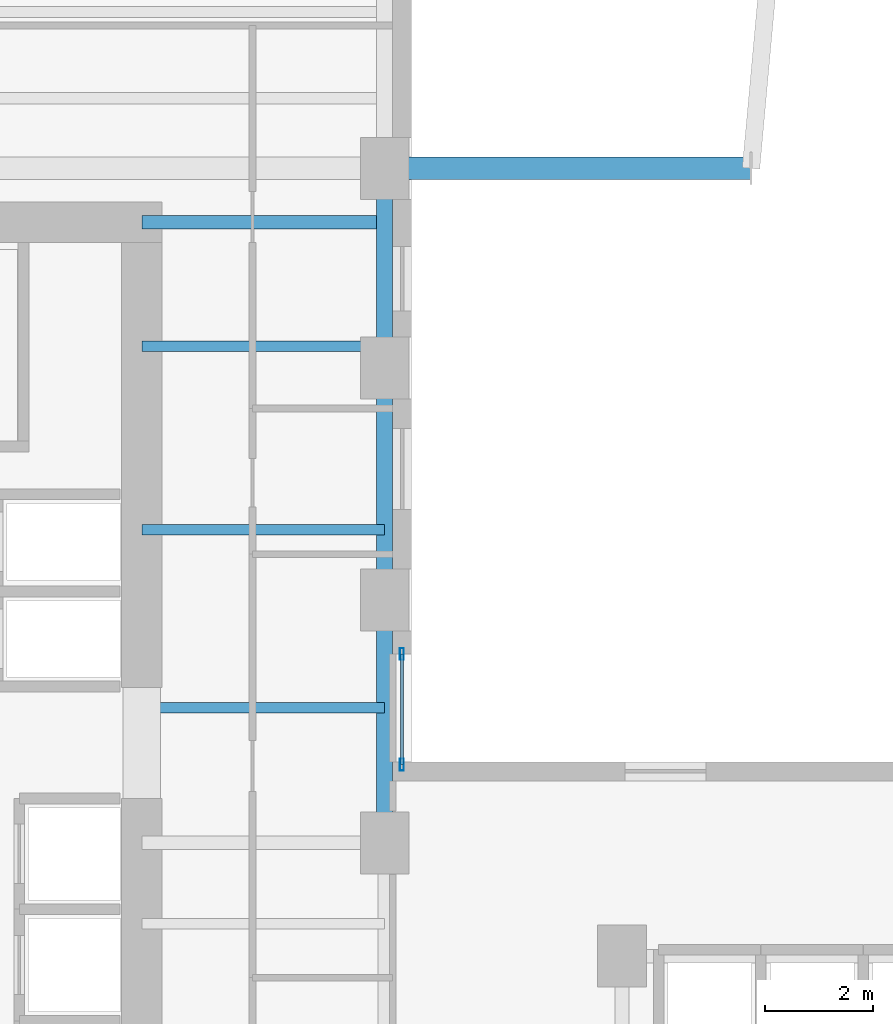
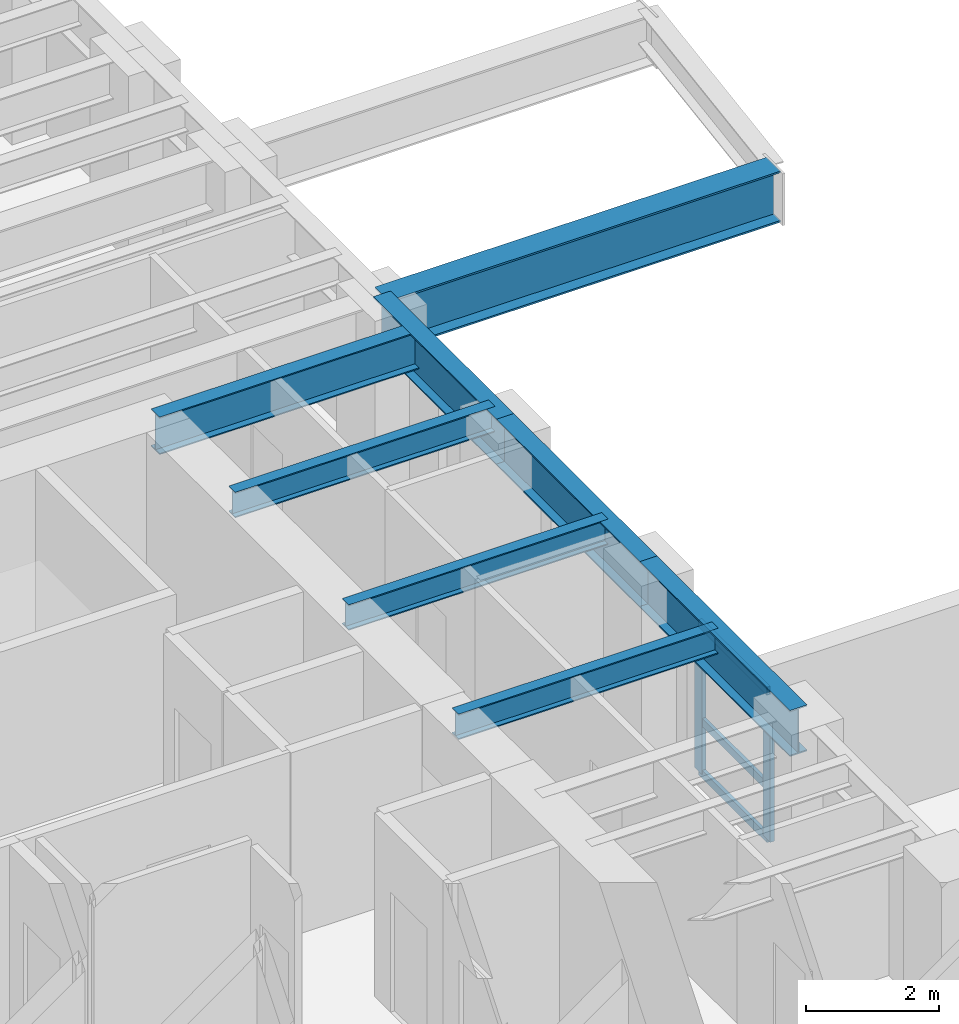
# One storey, part 2 of 13: 8 beams, 5 members, 1 element without a shape of its own.
"""IFC4 building model written with IfcOpenShell, lengths in metres."""

from ifc_helpers import new_model, si_unit, direction, frame, origin, origin_2d, place, context, subcontext, project, spatial, hollow_rectangle, i_section, extrude, source, transform, mapped, material, layer, layer_set, material_profile, profile_set, type_object, element, aggregate, save


model = new_model("IFC4")

# Units and contexts
model_context = context("Model", 3, precision=1e-05, world=origin(), true_north=direction((0.0, 1.0)))
body_context = subcontext(model_context, "Body", "Model", "MODEL_VIEW")
ifc_project = project(units=[si_unit("LENGTHUNIT", "METRE"), si_unit("AREAUNIT", "SQUARE_METRE"), si_unit("VOLUMEUNIT", "CUBIC_METRE"), si_unit("PLANEANGLEUNIT", "RADIAN"), si_unit("MASSUNIT", "GRAM", prefix="KILO")], contexts=[model_context])

# Site, building, storey
site_placement = place(None, origin())
site = spatial("IfcSite", under=ifc_project, at=site_placement, CompositionType="ELEMENT")
building_placement = place(site_placement, origin())
building = spatial("IfcBuilding", under=site, at=building_placement, Name="Kharzan Plaza Tower", CompositionType="ELEMENT")
storey_placement = place(building_placement, frame((0.0, 0.0, 109.800048828125)))
storey = spatial("IfcBuildingStorey", under=building, at=storey_placement, Name="L29", CompositionType="ELEMENT", Elevation=109.800048828125)

# Beams
ifc_material_1 = material(Name="Steel S355", Category="steel")
ifc_material_profile_1 = material_profile(ifc_material_1, i_section(OverallWidth=0.194091796875, OverallDepth=0.468994140625, WebThickness=0.011474609375, FlangeThickness=0.0205078125, at=origin_2d()), Name="W460x106")
ifc_profile_set_1 = profile_set([ifc_material_profile_1], Name="Steel S355")
beam_type_1 = type_object("IfcBeamType", Name="BM-JST460", PredefinedType="JOIST", material=ifc_profile_set_1)
shared_shape_1 = source(origin(), body_context, "Body", "SweptSolid", [
    extrude(i_section(OverallWidth=0.194091796875, OverallDepth=0.468994140625, WebThickness=0.011474609375, FlangeThickness=0.0205078125, at=origin_2d()), origin(), (0.0, 0.0, 1.0), 4.5),
])
for number, where, z_axis, x_axis, name in (
    (1, (14.5, 20.5, 3.1455078125), (1.0, 0.0, 0.0), (0.0, 1.0, 0.0), "L29 Wing A East Infill Joist 4"),
    (2, (14.5, 23.800048828125, 3.1455078125), (1.0, 0.0, 0.0), (0.0, 1.0, 0.0), "L29 Wing A East Infill Joist 5"),
    (3, (14.5, 27.199951171875, 3.1455078125), (1.0, 0.0, 0.0), (0.0, 1.0, 0.0), "L29 Wing A East Infill Joist 6"),
):
    element("IfcBeam", number, at=place(storey_placement, frame(where, z_axis=z_axis, x_axis=x_axis)), inside=storey, type_object=beam_type_1, Name=name, PredefinedType="JOIST", context=body_context, shape_type="MappedRepresentation", body=[
        mapped(shared_shape_1, transform((0.0, 0.0, 0.0), x_axis=(1.0, 0.0, 0.0), y_axis=(0.0, 1.0, 0.0), z_axis=(0.0, 0.0, 1.0))),
    ])
ifc_material_profile_2 = material_profile(ifc_material_1, i_section(OverallWidth=0.41796875, OverallDepth=0.93701171875, WebThickness=0.019287109375, FlangeThickness=0.031982421875, at=origin_2d()), Name="W920x342")
ifc_profile_set_2 = profile_set([ifc_material_profile_2], Name="Steel S355")
beam_type_2 = type_object("IfcBeamType", Name="BM-ZTG920", PredefinedType="BEAM", material=ifc_profile_set_2)
shared_shape_2 = source(origin(), body_context, "Body", "SweptSolid", [
    extrude(i_section(OverallWidth=0.41796875, OverallDepth=0.93701171875, WebThickness=0.019287109375, FlangeThickness=0.031982421875, at=origin_2d()), origin(), (0.0, 0.0, 1.0), 6.7900390625),
])
beam_1_placement = place(storey_placement, frame((19.0, 30.5, 2.911376953125), z_axis=(1.0, 0.0, 0.0), x_axis=(0.0, 1.0, 0.0)))
element("IfcBeam", 4, at=beam_1_placement, inside=storey, type_object=beam_type_2, Name="L29 Sky-Terrace Cantilever Girder ZTG1 (L30 G1)", PredefinedType="BEAM", context=body_context, shape_type="MappedRepresentation", body=[
    mapped(shared_shape_2, transform((0.0, 0.0, 0.0), x_axis=(1.0, 0.0, 0.0), y_axis=(0.0, 1.0, 0.0), z_axis=(0.0, 0.0, 1.0))),
])

# Curtain wall, members
ifc_material_2 = material(Name="Unitised Bronze-Anodized Aluminium and Low-E Glass", Category="aluminium")
ifc_layer = layer(ifc_material_2, 0.199951171875)
ifc_layer_set = layer_set([ifc_layer], Name="Unitised Bronze-Anodized Aluminium and Low-E Glass")
curtain_wall_type = type_object("IfcCurtainWallType", Name="CW-SLOT-3", PredefinedType="NOTDEFINED", material=ifc_layer_set)
curtain_wall_placement = place(storey_placement, origin())
curtain_wall = element("IfcCurtainWall", 5, at=curtain_wall_placement, inside=storey, type_object=curtain_wall_type, Name="L29 West Slot Recessed Spine Curtain Wall", PredefinedType="NOTDEFINED")
ifc_material_3 = material(Name="Anodized Bronze Aluminium", Category="aluminium")
ifc_material_profile_3 = material_profile(ifc_material_3, hollow_rectangle(XDim=0.074951171875, YDim=0.219970703125, WallThickness=0.00390625, at=origin_2d()), Name="ALU-M220x75x4")
ifc_profile_set_3 = profile_set([ifc_material_profile_3], Name="Anodized Bronze Aluminium")
member_type_1 = type_object("IfcMemberType", Name="MEM-CW-MUL200", PredefinedType="MULLION", material=ifc_profile_set_3)
shared_shape_3 = source(origin(), body_context, "Body", "SweptSolid", [
    extrude(hollow_rectangle(XDim=0.074951171875, YDim=0.219970703125, WallThickness=0.00390625, at=origin_2d()), origin(), (0.0, 0.0, 1.0), 2.699951171875),
])
member_1_placement = place(storey_placement, frame((19.320068359375, 19.449951171875, 0.0), z_axis=(0.0, 0.0, 1.0), x_axis=(1.0, 0.0, 0.0)))
member_1 = element("IfcMember", 6, at=member_1_placement, type_object=member_type_1, Name="L29 Curtain-Wall Mullion 00", PredefinedType="MULLION", context=body_context, shape_type="MappedRepresentation", body=[
    mapped(shared_shape_3, transform((0.0, 0.0, 0.0), x_axis=(1.0, 0.0, 0.0), y_axis=(0.0, 1.0, 0.0), z_axis=(0.0, 0.0, 1.0))),
])
member_2_placement = place(storey_placement, frame((19.320068359375, 21.5, 0.0), z_axis=(0.0, 0.0, 1.0), x_axis=(1.0, 0.0, 0.0)))
member_2 = element("IfcMember", 7, at=member_2_placement, type_object=member_type_1, Name="L29 Curtain-Wall Mullion 01", PredefinedType="MULLION", context=body_context, shape_type="MappedRepresentation", body=[
    mapped(shared_shape_3, transform((0.0, 0.0, 0.0), x_axis=(1.0, 0.0, 0.0), y_axis=(0.0, 1.0, 0.0), z_axis=(0.0, 0.0, 1.0))),
])
ifc_material_profile_4 = material_profile(ifc_material_3, hollow_rectangle(XDim=0.06005859375, YDim=0.14990234375, WallThickness=0.00341796875, at=origin_2d()), Name="ALU-T150x60x3.5")
ifc_profile_set_4 = profile_set([ifc_material_profile_4], Name="Anodized Bronze Aluminium")
member_type_2 = type_object("IfcMemberType", Name="MEM-CW-TRN150", PredefinedType="USERDEFINED", material=ifc_profile_set_4)
shared_shape_4 = source(origin(), body_context, "Body", "SweptSolid", [
    extrude(hollow_rectangle(XDim=0.06005859375, YDim=0.14990234375, WallThickness=0.00341796875, at=origin_2d()), origin(), (0.0, 0.0, 1.0), 2.050048828125),
])
member_3_placement = place(storey_placement, frame((19.320068359375, 19.449951171875, 0.0), z_axis=(0.0, 1.0, 0.0), x_axis=(-1.0, 0.0, 0.0)))
member_3 = element("IfcMember", 8, at=member_3_placement, type_object=member_type_2, Name="L29 Curtain-Wall Transom 1", ObjectType="TRANSOM", PredefinedType="USERDEFINED", context=body_context, shape_type="MappedRepresentation", body=[
    mapped(shared_shape_4, transform((0.0, 0.0, 0.0), x_axis=(1.0, 0.0, 0.0), y_axis=(0.0, 1.0, 0.0), z_axis=(0.0, 0.0, 1.0))),
])
member_4_placement = place(storey_placement, frame((19.320068359375, 19.449951171875, 0.949951171875), z_axis=(0.0, 1.0, 0.0), x_axis=(-1.0, 0.0, 0.0)))
member_4 = element("IfcMember", 9, at=member_4_placement, type_object=member_type_2, Name="L29 Curtain-Wall Transom 2", ObjectType="TRANSOM", PredefinedType="USERDEFINED", context=body_context, shape_type="MappedRepresentation", body=[
    mapped(shared_shape_4, transform((0.0, 0.0, 0.0), x_axis=(1.0, 0.0, 0.0), y_axis=(0.0, 1.0, 0.0), z_axis=(0.0, 0.0, 1.0))),
])
member_5_placement = place(storey_placement, frame((19.320068359375, 19.449951171875, 2.699951171875), z_axis=(0.0, 1.0, 0.0), x_axis=(-1.0, 0.0, 0.0)))
member_5 = element("IfcMember", 10, at=member_5_placement, type_object=member_type_2, Name="L29 Curtain-Wall Transom 3", ObjectType="TRANSOM", PredefinedType="USERDEFINED", context=body_context, shape_type="MappedRepresentation", body=[
    mapped(shared_shape_4, transform((0.0, 0.0, 0.0), x_axis=(1.0, 0.0, 0.0), y_axis=(0.0, 1.0, 0.0), z_axis=(0.0, 0.0, 1.0))),
])
aggregate(curtain_wall, [member_1, member_2, member_3, member_4, member_5])

# Beams
ifc_material_profile_5 = material_profile(ifc_material_1, i_section(OverallWidth=0.25390625, OverallDepth=0.68798828125, WebThickness=0.01318359375, FlangeThickness=0.02099609375, at=origin_2d()), Name="W690x152")
ifc_profile_set_5 = profile_set([ifc_material_profile_5], Name="Steel S355")
beam_type_3 = type_object("IfcBeamType", Name="BM-FG690B", PredefinedType="BEAM", material=ifc_profile_set_5)
shared_shape_5 = source(origin(), body_context, "Body", "SweptSolid", [
    extrude(i_section(OverallWidth=0.25390625, OverallDepth=0.68798828125, WebThickness=0.01318359375, FlangeThickness=0.02099609375, at=origin_2d()), origin(), (0.0, 0.0, 1.0), 4.5),
])
beam_2_placement = place(storey_placement, frame((14.5, 29.5, 3.035888671875), z_axis=(1.0, 0.0, 0.0), x_axis=(0.0, 1.0, 0.0)))
element("IfcBeam", 11, at=beam_2_placement, inside=storey, type_object=beam_type_3, Name="L29 Core-A East Floor Girder 3", PredefinedType="BEAM", context=body_context, shape_type="MappedRepresentation", body=[
    mapped(shared_shape_5, transform((0.0, 0.0, 0.0), x_axis=(1.0, 0.0, 0.0), y_axis=(0.0, 1.0, 0.0), z_axis=(0.0, 0.0, 1.0))),
])
ifc_material_profile_6 = material_profile(ifc_material_1, i_section(OverallWidth=0.299072265625, OverallDepth=0.845947265625, WebThickness=0.015380859375, FlangeThickness=0.0244140625, at=origin_2d()), Name="W840x210")
ifc_profile_set_6 = profile_set([ifc_material_profile_6], Name="Steel S355")
beam_type_4 = type_object("IfcBeamType", Name="BM-SP840B", PredefinedType="SPANDREL", material=ifc_profile_set_6)
shared_shape_6 = source(origin(), body_context, "Body", "SweptSolid", [
    extrude(i_section(OverallWidth=0.299072265625, OverallDepth=0.845947265625, WebThickness=0.015380859375, FlangeThickness=0.0244140625, at=origin_2d()), origin(), (0.0, 0.0, 1.0), 4.5),
])
beam_3_placement = place(storey_placement, frame((19.0, 18.0, 2.95703125), z_axis=(0.0, 1.0, 0.0), x_axis=(-1.0, 0.0, 0.0)))
element("IfcBeam", 12, at=beam_3_placement, inside=storey, type_object=beam_type_4, Name="L29 Perimeter Tube Spandrel", PredefinedType="SPANDREL", context=body_context, shape_type="MappedRepresentation", body=[
    mapped(shared_shape_6, transform((0.0, 0.0, 0.0), x_axis=(1.0, 0.0, 0.0), y_axis=(0.0, 1.0, 0.0), z_axis=(0.0, 0.0, 1.0))),
])
shared_shape_7 = source(origin(), body_context, "Body", "SweptSolid", [
    extrude(i_section(OverallWidth=0.299072265625, OverallDepth=0.845947265625, WebThickness=0.015380859375, FlangeThickness=0.0244140625, at=origin_2d()), origin(), (0.0, 0.0, 1.0), 4.300048828125),
])
beam_4_placement = place(storey_placement, frame((19.0, 22.5, 2.95703125), z_axis=(0.0, 1.0, 0.0), x_axis=(-1.0, 0.0, 0.0)))
element("IfcBeam", 13, at=beam_4_placement, inside=storey, type_object=beam_type_4, Name="L29 Perimeter Tube Spandrel", PredefinedType="SPANDREL", context=body_context, shape_type="MappedRepresentation", body=[
    mapped(shared_shape_7, transform((0.0, 0.0, 0.0), x_axis=(1.0, 0.0, 0.0), y_axis=(0.0, 1.0, 0.0), z_axis=(0.0, 0.0, 1.0))),
])
shared_shape_8 = source(origin(), body_context, "Body", "SweptSolid", [
    extrude(i_section(OverallWidth=0.299072265625, OverallDepth=0.845947265625, WebThickness=0.015380859375, FlangeThickness=0.0244140625, at=origin_2d()), origin(), (0.0, 0.0, 1.0), 3.699951171875),
])
beam_5_placement = place(storey_placement, frame((19.0, 26.800048828125, 2.95703125), z_axis=(0.0, 1.0, 0.0), x_axis=(-1.0, 0.0, 0.0)))
element("IfcBeam", 14, at=beam_5_placement, inside=storey, type_object=beam_type_4, Name="L29 Perimeter Tube Spandrel", PredefinedType="SPANDREL", context=body_context, shape_type="MappedRepresentation", body=[
    mapped(shared_shape_8, transform((0.0, 0.0, 0.0), x_axis=(1.0, 0.0, 0.0), y_axis=(0.0, 1.0, 0.0), z_axis=(0.0, 0.0, 1.0))),
])

save(model, "model.ifc")
